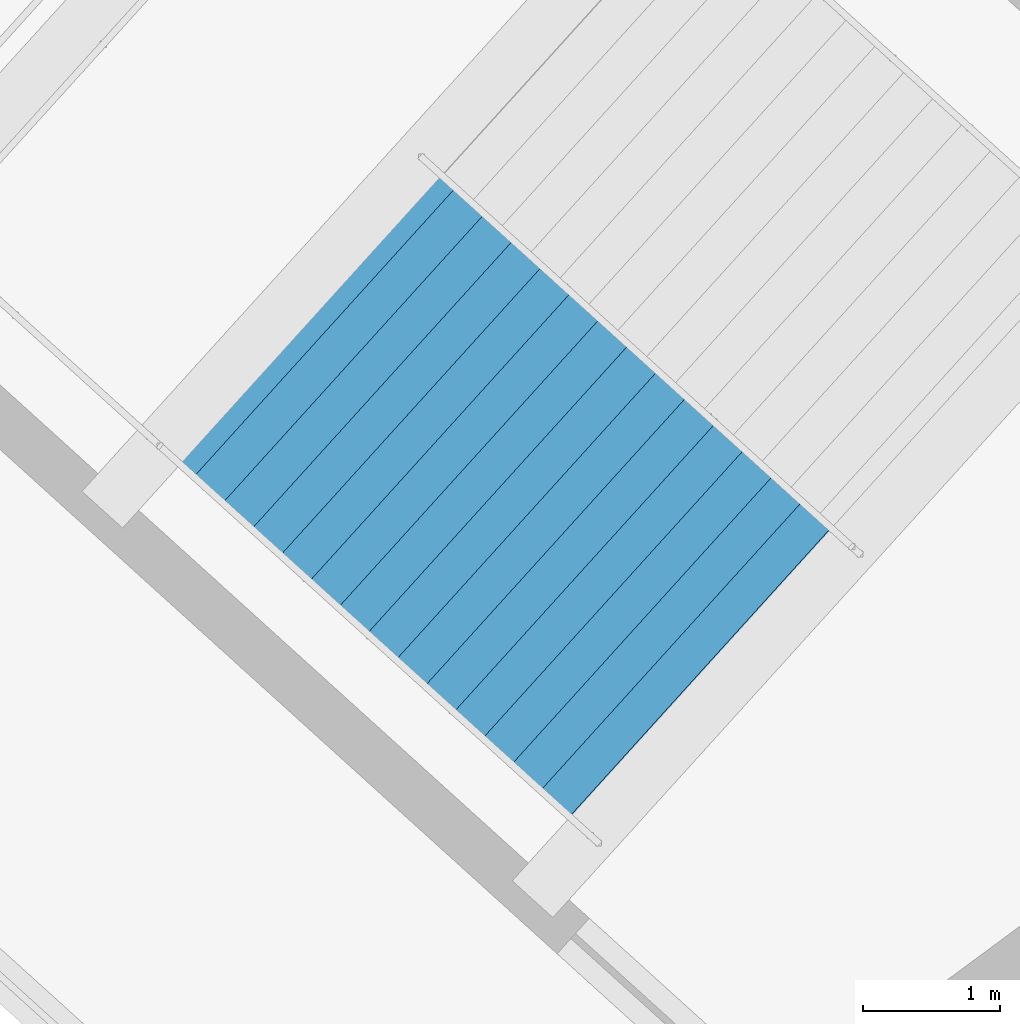
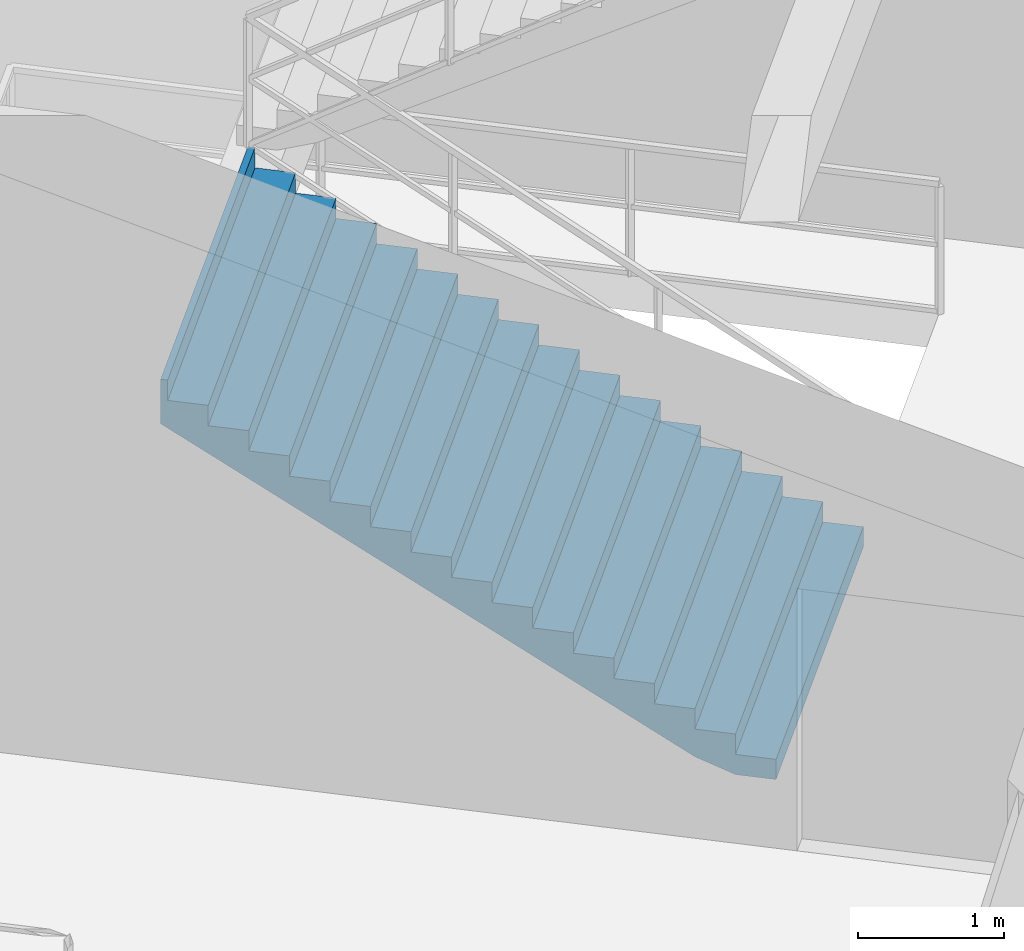
# One storey, part 165 of 186: 1 stair flight, 1 element without a shape of its own.
"""IFC4 building model written with IfcOpenShell, lengths in metres."""

from ifc_helpers import new_model, si_unit, direction, frame, origin, place, context, subcontext, project, spatial, polygons, material, type_object, element, aggregate, save


model = new_model("IFC4")

# Units and contexts
model_context = context("Model", 3, precision=1e-05, world=origin(), true_north=direction((0.0, 1.0)))
body_context = subcontext(model_context, "Body", "Model", "MODEL_VIEW")
ifc_project = project(units=[si_unit("LENGTHUNIT", "METRE"), si_unit("AREAUNIT", "SQUARE_METRE"), si_unit("VOLUMEUNIT", "CUBIC_METRE"), si_unit("PLANEANGLEUNIT", "RADIAN"), si_unit("MASSUNIT", "GRAM", prefix="KILO")], contexts=[model_context])

# Site, building, storey
site_placement = place(None, origin())
site = spatial("IfcSite", under=ifc_project, at=site_placement, CompositionType="ELEMENT")
building_placement = place(site_placement, origin())
building = spatial("IfcBuilding", under=site, at=building_placement, Name="Kazemori Nagisa Stadium", CompositionType="ELEMENT")
storey_placement = place(building_placement, frame((0.0, 0.0, 20.39990234375)))
storey = spatial("IfcBuildingStorey", under=building, at=storey_placement, Name="L04", CompositionType="ELEMENT", Elevation=20.39990234375)

# Stair, stair flight
ifc_material = material(Name="Concrete C36/45 (Fc36)", Category="concrete")
stair_type = type_object("IfcStairType", Name="Stair_CORE_32", PredefinedType="TWO_STRAIGHT_RUN_STAIR", material=ifc_material)
stair_placement = place(storey_placement, origin())
stair = element("IfcStair", 1, at=stair_placement, inside=storey, type_object=stair_type, Name="Exit stair ST01 L04", PredefinedType="TWO_STRAIGHT_RUN_STAIR")
stair_flight_type = type_object("IfcStairFlightType", Name="Flight_CORE_16", PredefinedType="STRAIGHT", material=ifc_material)
stair_flight_placement = place(storey_placement, frame((191.89208984375, 156.3369140625, 0.0), z_axis=(0.0, 0.0, 1.0), x_axis=(-0.741354464355, 0.671113670089, 0.0)))
stair_flight = element("IfcStairFlight", 2, at=stair_flight_placement, type_object=stair_flight_type, Name="Exit stair ST01 L04 flight 1", NumberOfRisers=16, NumberOfTreads=15, PredefinedType="STRAIGHT", RiserHeight=0.17, TreadLength=0.285, context=body_context, shape_type="Tessellation", body=[
    polygons([(0.0, -1.425048828125, 0.0), (0.0, -1.425048828125, 0.169921875), (0.284912109375, -1.425048828125, 0.169921875), (0.284912109375, -1.425048828125, 0.340087890625), (0.570068359375, -1.425048828125, 0.340087890625), (0.570068359375, -1.425048828125, 0.510009765625), (0.85498046875, -1.425048828125, 0.510009765625), (0.85498046875, -1.425048828125, 0.679931640625), (1.139892578125, -1.425048828125, 0.679931640625), (1.139892578125, -1.425048828125, 0.85009765625), (1.425048828125, -1.425048828125, 0.85009765625), (1.425048828125, -1.425048828125, 1.02001953125), (1.7099609375, -1.425048828125, 1.02001953125), (1.7099609375, -1.425048828125, 1.18994140625), (1.9951171875, -1.425048828125, 1.18994140625), (1.9951171875, -1.425048828125, 1.360107421875), (2.280029296875, -1.425048828125, 1.360107421875), (2.280029296875, -1.425048828125, 1.530029296875), (2.56494140625, -1.425048828125, 1.530029296875), (2.56494140625, -1.425048828125, 1.699951171875), (2.85009765625, -1.425048828125, 1.699951171875), (2.85009765625, -1.425048828125, 1.8701171875), (3.135009765625, -1.425048828125, 1.8701171875), (3.135009765625, -1.425048828125, 2.0400390625), (3.419921875, -1.425048828125, 2.0400390625), (3.419921875, -1.425048828125, 2.2099609375), (3.705078125, -1.425048828125, 2.2099609375), (3.705078125, -1.425048828125, 2.3798828125), (3.989990234375, -1.425048828125, 2.3798828125), (3.989990234375, -1.425048828125, 2.550048828125), (4.27490234375, -1.425048828125, 2.550048828125), (4.27490234375, -1.425048828125, 2.719970703125), (4.324951171875, -1.425048828125, 2.719970703125), (4.324951171875, -1.425048828125, 2.346923828125), (4.27490234375, -1.425048828125, 2.317138671875), (3.989990234375, -1.425048828125, 2.147216796875), (3.705078125, -1.425048828125, 1.977294921875), (3.419921875, -1.425048828125, 1.80712890625), (3.135009765625, -1.425048828125, 1.63720703125), (2.85009765625, -1.425048828125, 1.46728515625), (2.56494140625, -1.425048828125, 1.297119140625), (2.280029296875, -1.425048828125, 1.127197265625), (1.9951171875, -1.425048828125, 0.957275390625), (1.7099609375, -1.425048828125, 0.787109375), (1.425048828125, -1.425048828125, 0.6171875), (1.139892578125, -1.425048828125, 0.447265625), (0.85498046875, -1.425048828125, 0.277099609375), (0.570068359375, -1.425048828125, 0.107177734375), (0.284912109375, -1.425048828125, 0.0), (0.0, -0.08544921875, 0.0), (0.0, -0.08544921875, 0.169921875), (0.284912109375, -0.08544921875, 0.169921875), (0.284912109375, -0.08544921875, 0.340087890625), (0.570068359375, -0.08544921875, 0.340087890625), (0.570068359375, -0.08544921875, 0.510009765625), (0.85498046875, -0.08544921875, 0.510009765625), (0.85498046875, -0.08544921875, 0.679931640625), (1.139892578125, -0.08544921875, 0.679931640625), (1.139892578125, -0.08544921875, 0.85009765625), (1.425048828125, -0.08544921875, 0.85009765625), (1.425048828125, -0.08544921875, 1.02001953125), (1.7099609375, -0.08544921875, 1.02001953125), (1.7099609375, -0.08544921875, 1.18994140625), (1.9951171875, -0.08544921875, 1.18994140625), (1.9951171875, -0.08544921875, 1.360107421875), (2.280029296875, -0.08544921875, 1.360107421875), (2.280029296875, -0.08544921875, 1.530029296875), (2.56494140625, -0.08544921875, 1.530029296875), (2.56494140625, -0.08544921875, 1.699951171875), (2.85009765625, -0.08544921875, 1.699951171875), (2.85009765625, -0.08544921875, 1.8701171875), (3.135009765625, -0.08544921875, 1.8701171875), (3.135009765625, -0.08544921875, 2.0400390625), (3.419921875, -0.08544921875, 2.0400390625), (3.419921875, -0.08544921875, 2.2099609375), (3.705078125, -0.08544921875, 2.2099609375), (3.705078125, -0.08544921875, 2.3798828125), (3.989990234375, -0.08544921875, 2.3798828125), (3.989990234375, -0.08544921875, 2.550048828125), (4.27490234375, -0.08544921875, 2.550048828125), (4.27490234375, -0.08544921875, 2.719970703125), (4.324951171875, -0.08544921875, 2.719970703125), (4.324951171875, -0.08544921875, 2.346923828125), (4.27490234375, -0.08544921875, 2.317138671875), (3.989990234375, -0.08544921875, 2.147216796875), (3.705078125, -0.08544921875, 1.977294921875), (3.419921875, -0.08544921875, 1.80712890625), (3.135009765625, -0.08544921875, 1.63720703125), (2.85009765625, -0.08544921875, 1.46728515625), (2.56494140625, -0.08544921875, 1.297119140625), (2.280029296875, -0.08544921875, 1.127197265625), (1.9951171875, -0.08544921875, 0.957275390625), (1.7099609375, -0.08544921875, 0.787109375), (1.425048828125, -0.08544921875, 0.6171875), (1.139892578125, -0.08544921875, 0.447265625), (0.85498046875, -0.08544921875, 0.277099609375), (0.570068359375, -0.08544921875, 0.107177734375), (0.284912109375, -0.08544921875, 0.0), (0.0, 0.0, 0.0), (0.0, 0.0, 0.169921875), (0.284912109375, 0.0, 0.169921875), (0.284912109375, 0.0, 0.340087890625), (0.570068359375, 0.0, 0.340087890625), (0.570068359375, 0.0, 0.510009765625), (0.85498046875, 0.0, 0.510009765625), (0.85498046875, 0.0, 0.679931640625), (1.139892578125, 0.0, 0.679931640625), (1.139892578125, 0.0, 0.85009765625), (1.425048828125, 0.0, 0.85009765625), (1.425048828125, 0.0, 1.02001953125), (1.7099609375, 0.0, 1.02001953125), (1.7099609375, 0.0, 1.18994140625), (1.9951171875, 0.0, 1.18994140625), (1.9951171875, 0.0, 1.360107421875), (2.280029296875, 0.0, 1.360107421875), (2.280029296875, 0.0, 1.530029296875), (2.56494140625, 0.0, 1.530029296875), (2.56494140625, 0.0, 1.699951171875), (2.85009765625, 0.0, 1.699951171875), (2.85009765625, 0.0, 1.8701171875), (3.135009765625, 0.0, 1.8701171875), (3.135009765625, 0.0, 2.0400390625), (3.419921875, 0.0, 2.0400390625), (3.419921875, 0.0, 2.2099609375), (3.705078125, 0.0, 2.2099609375), (3.705078125, 0.0, 2.3798828125), (3.989990234375, 0.0, 2.3798828125), (3.989990234375, 0.0, 2.550048828125), (4.27490234375, 0.0, 2.550048828125), (4.27490234375, 0.0, 2.719970703125), (4.324951171875, 0.0, 2.719970703125), (4.324951171875, 0.0, 2.346923828125), (4.27490234375, 0.0, 2.317138671875), (3.989990234375, 0.0, 2.147216796875), (3.705078125, 0.0, 1.977294921875), (3.419921875, 0.0, 1.80712890625), (3.135009765625, 0.0, 1.63720703125), (2.85009765625, 0.0, 1.46728515625), (2.56494140625, 0.0, 1.297119140625), (2.280029296875, 0.0, 1.127197265625), (1.9951171875, 0.0, 0.957275390625), (1.7099609375, 0.0, 0.787109375), (1.425048828125, 0.0, 0.6171875), (1.139892578125, 0.0, 0.447265625), (0.85498046875, 0.0, 0.277099609375), (0.570068359375, 0.0, 0.107177734375), (0.284912109375, 0.0, 0.0), (0.0, 0.08544921875, 0.0), (0.0, 0.08544921875, 0.169921875), (0.284912109375, 0.08544921875, 0.169921875), (0.284912109375, 0.08544921875, 0.340087890625), (0.570068359375, 0.08544921875, 0.340087890625), (0.570068359375, 0.08544921875, 0.510009765625), (0.85498046875, 0.08544921875, 0.510009765625), (0.85498046875, 0.08544921875, 0.679931640625), (1.139892578125, 0.08544921875, 0.679931640625), (1.139892578125, 0.08544921875, 0.85009765625), (1.425048828125, 0.08544921875, 0.85009765625), (1.425048828125, 0.08544921875, 1.02001953125), (1.7099609375, 0.08544921875, 1.02001953125), (1.7099609375, 0.08544921875, 1.18994140625), (1.9951171875, 0.08544921875, 1.18994140625), (1.9951171875, 0.08544921875, 1.360107421875), (2.280029296875, 0.08544921875, 1.360107421875), (2.280029296875, 0.08544921875, 1.530029296875), (2.56494140625, 0.08544921875, 1.530029296875), (2.56494140625, 0.08544921875, 1.699951171875), (2.85009765625, 0.08544921875, 1.699951171875), (2.85009765625, 0.08544921875, 1.8701171875), (3.135009765625, 0.08544921875, 1.8701171875), (3.135009765625, 0.08544921875, 2.0400390625), (3.419921875, 0.08544921875, 2.0400390625), (3.419921875, 0.08544921875, 2.2099609375), (3.705078125, 0.08544921875, 2.2099609375), (3.705078125, 0.08544921875, 2.3798828125), (3.989990234375, 0.08544921875, 2.3798828125), (3.989990234375, 0.08544921875, 2.550048828125), (4.27490234375, 0.08544921875, 2.550048828125), (4.27490234375, 0.08544921875, 2.719970703125), (4.324951171875, 0.08544921875, 2.719970703125), (4.324951171875, 0.08544921875, 2.346923828125), (4.27490234375, 0.08544921875, 2.317138671875), (3.989990234375, 0.08544921875, 2.147216796875), (3.705078125, 0.08544921875, 1.977294921875), (3.419921875, 0.08544921875, 1.80712890625), (3.135009765625, 0.08544921875, 1.63720703125), (2.85009765625, 0.08544921875, 1.46728515625), (2.56494140625, 0.08544921875, 1.297119140625), (2.280029296875, 0.08544921875, 1.127197265625), (1.9951171875, 0.08544921875, 0.957275390625), (1.7099609375, 0.08544921875, 0.787109375), (1.425048828125, 0.08544921875, 0.6171875), (1.139892578125, 0.08544921875, 0.447265625), (0.85498046875, 0.08544921875, 0.277099609375), (0.570068359375, 0.08544921875, 0.107177734375), (0.284912109375, 0.08544921875, 0.0), (0.0, 1.425048828125, 0.0), (0.0, 1.425048828125, 0.169921875), (0.284912109375, 1.425048828125, 0.169921875), (0.284912109375, 1.425048828125, 0.340087890625), (0.570068359375, 1.425048828125, 0.340087890625), (0.570068359375, 1.425048828125, 0.510009765625), (0.85498046875, 1.425048828125, 0.510009765625), (0.85498046875, 1.425048828125, 0.679931640625), (1.139892578125, 1.425048828125, 0.679931640625), (1.139892578125, 1.425048828125, 0.85009765625), (1.425048828125, 1.425048828125, 0.85009765625), (1.425048828125, 1.425048828125, 1.02001953125), (1.7099609375, 1.425048828125, 1.02001953125), (1.7099609375, 1.425048828125, 1.18994140625), (1.9951171875, 1.425048828125, 1.18994140625), (1.9951171875, 1.425048828125, 1.360107421875), (2.280029296875, 1.425048828125, 1.360107421875), (2.280029296875, 1.425048828125, 1.530029296875), (2.56494140625, 1.425048828125, 1.530029296875), (2.56494140625, 1.425048828125, 1.699951171875), (2.85009765625, 1.425048828125, 1.699951171875), (2.85009765625, 1.425048828125, 1.8701171875), (3.135009765625, 1.425048828125, 1.8701171875), (3.135009765625, 1.425048828125, 2.0400390625), (3.419921875, 1.425048828125, 2.0400390625), (3.419921875, 1.425048828125, 2.2099609375), (3.705078125, 1.425048828125, 2.2099609375), (3.705078125, 1.425048828125, 2.3798828125), (3.989990234375, 1.425048828125, 2.3798828125), (3.989990234375, 1.425048828125, 2.550048828125), (4.27490234375, 1.425048828125, 2.550048828125), (4.27490234375, 1.425048828125, 2.719970703125), (4.324951171875, 1.425048828125, 2.719970703125), (4.324951171875, 1.425048828125, 2.346923828125), (4.27490234375, 1.425048828125, 2.317138671875), (3.989990234375, 1.425048828125, 2.147216796875), (3.705078125, 1.425048828125, 1.977294921875), (3.419921875, 1.425048828125, 1.80712890625), (3.135009765625, 1.425048828125, 1.63720703125), (2.85009765625, 1.425048828125, 1.46728515625), (2.56494140625, 1.425048828125, 1.297119140625), (2.280029296875, 1.425048828125, 1.127197265625), (1.9951171875, 1.425048828125, 0.957275390625), (1.7099609375, 1.425048828125, 0.787109375), (1.425048828125, 1.425048828125, 0.6171875), (1.139892578125, 1.425048828125, 0.447265625), (0.85498046875, 1.425048828125, 0.277099609375), (0.570068359375, 1.425048828125, 0.107177734375), (0.284912109375, 1.425048828125, 0.0)], [[[1, 2, 51]], [[1, 51, 50]], [[2, 3, 52]], [[2, 52, 51]], [[3, 4, 53]], [[3, 53, 52]], [[4, 5, 54]], [[4, 54, 53]], [[5, 6, 55]], [[5, 55, 54]], [[6, 7, 56]], [[6, 56, 55]], [[7, 8, 57]], [[7, 57, 56]], [[8, 9, 58]], [[8, 58, 57]], [[9, 10, 59]], [[9, 59, 58]], [[10, 11, 60]], [[10, 60, 59]], [[11, 12, 61]], [[11, 61, 60]], [[12, 13, 62]], [[12, 62, 61]], [[13, 14, 63]], [[13, 63, 62]], [[14, 15, 64]], [[14, 64, 63]], [[15, 16, 65]], [[15, 65, 64]], [[16, 17, 66]], [[16, 66, 65]], [[17, 18, 67]], [[17, 67, 66]], [[18, 19, 68]], [[18, 68, 67]], [[19, 20, 69]], [[19, 69, 68]], [[20, 21, 70]], [[20, 70, 69]], [[21, 22, 71]], [[21, 71, 70]], [[22, 23, 72]], [[22, 72, 71]], [[23, 24, 73]], [[23, 73, 72]], [[24, 25, 74]], [[24, 74, 73]], [[25, 26, 75]], [[25, 75, 74]], [[26, 27, 76]], [[26, 76, 75]], [[27, 28, 77]], [[27, 77, 76]], [[28, 29, 78]], [[28, 78, 77]], [[29, 30, 79]], [[29, 79, 78]], [[30, 31, 80]], [[30, 80, 79]], [[31, 32, 81]], [[31, 81, 80]], [[32, 33, 82]], [[32, 82, 81]], [[33, 34, 83]], [[33, 83, 82]], [[34, 35, 84]], [[34, 84, 83]], [[35, 36, 85]], [[35, 85, 84]], [[36, 37, 86]], [[36, 86, 85]], [[37, 38, 87]], [[37, 87, 86]], [[38, 39, 88]], [[38, 88, 87]], [[39, 40, 89]], [[39, 89, 88]], [[40, 41, 90]], [[40, 90, 89]], [[41, 42, 91]], [[41, 91, 90]], [[42, 43, 92]], [[42, 92, 91]], [[43, 44, 93]], [[43, 93, 92]], [[44, 45, 94]], [[44, 94, 93]], [[45, 46, 95]], [[45, 95, 94]], [[46, 47, 96]], [[46, 96, 95]], [[47, 48, 97]], [[47, 97, 96]], [[48, 49, 98]], [[48, 98, 97]], [[49, 1, 50]], [[49, 50, 98]], [[50, 51, 100]], [[50, 100, 99]], [[51, 52, 101]], [[51, 101, 100]], [[52, 53, 102]], [[52, 102, 101]], [[53, 54, 103]], [[53, 103, 102]], [[54, 55, 104]], [[54, 104, 103]], [[55, 56, 105]], [[55, 105, 104]], [[56, 57, 106]], [[56, 106, 105]], [[57, 58, 107]], [[57, 107, 106]], [[58, 59, 108]], [[58, 108, 107]], [[59, 60, 109]], [[59, 109, 108]], [[60, 61, 110]], [[60, 110, 109]], [[61, 62, 111]], [[61, 111, 110]], [[62, 63, 112]], [[62, 112, 111]], [[63, 64, 113]], [[63, 113, 112]], [[64, 65, 114]], [[64, 114, 113]], [[65, 66, 115]], [[65, 115, 114]], [[66, 67, 116]], [[66, 116, 115]], [[67, 68, 117]], [[67, 117, 116]], [[68, 69, 118]], [[68, 118, 117]], [[69, 70, 119]], [[69, 119, 118]], [[70, 71, 120]], [[70, 120, 119]], [[71, 72, 121]], [[71, 121, 120]], [[72, 73, 122]], [[72, 122, 121]], [[73, 74, 123]], [[73, 123, 122]], [[74, 75, 124]], [[74, 124, 123]], [[75, 76, 125]], [[75, 125, 124]], [[76, 77, 126]], [[76, 126, 125]], [[77, 78, 127]], [[77, 127, 126]], [[78, 79, 128]], [[78, 128, 127]], [[79, 80, 129]], [[79, 129, 128]], [[80, 81, 130]], [[80, 130, 129]], [[81, 82, 131]], [[81, 131, 130]], [[82, 83, 132]], [[82, 132, 131]], [[83, 84, 133]], [[83, 133, 132]], [[84, 85, 134]], [[84, 134, 133]], [[85, 86, 135]], [[85, 135, 134]], [[86, 87, 136]], [[86, 136, 135]], [[87, 88, 137]], [[87, 137, 136]], [[88, 89, 138]], [[88, 138, 137]], [[89, 90, 139]], [[89, 139, 138]], [[90, 91, 140]], [[90, 140, 139]], [[91, 92, 141]], [[91, 141, 140]], [[92, 93, 142]], [[92, 142, 141]], [[93, 94, 143]], [[93, 143, 142]], [[94, 95, 144]], [[94, 144, 143]], [[95, 96, 145]], [[95, 145, 144]], [[96, 97, 146]], [[96, 146, 145]], [[97, 98, 147]], [[97, 147, 146]], [[98, 50, 99]], [[98, 99, 147]], [[99, 100, 149]], [[99, 149, 148]], [[100, 101, 150]], [[100, 150, 149]], [[101, 102, 151]], [[101, 151, 150]], [[102, 103, 152]], [[102, 152, 151]], [[103, 104, 153]], [[103, 153, 152]], [[104, 105, 154]], [[104, 154, 153]], [[105, 106, 155]], [[105, 155, 154]], [[106, 107, 156]], [[106, 156, 155]], [[107, 108, 157]], [[107, 157, 156]], [[108, 109, 158]], [[108, 158, 157]], [[109, 110, 159]], [[109, 159, 158]], [[110, 111, 160]], [[110, 160, 159]], [[111, 112, 161]], [[111, 161, 160]], [[112, 113, 162]], [[112, 162, 161]], [[113, 114, 163]], [[113, 163, 162]], [[114, 115, 164]], [[114, 164, 163]], [[115, 116, 165]], [[115, 165, 164]], [[116, 117, 166]], [[116, 166, 165]], [[117, 118, 167]], [[117, 167, 166]], [[118, 119, 168]], [[118, 168, 167]], [[119, 120, 169]], [[119, 169, 168]], [[120, 121, 170]], [[120, 170, 169]], [[121, 122, 171]], [[121, 171, 170]], [[122, 123, 172]], [[122, 172, 171]], [[123, 124, 173]], [[123, 173, 172]], [[124, 125, 174]], [[124, 174, 173]], [[125, 126, 175]], [[125, 175, 174]], [[126, 127, 176]], [[126, 176, 175]], [[127, 128, 177]], [[127, 177, 176]], [[128, 129, 178]], [[128, 178, 177]], [[129, 130, 179]], [[129, 179, 178]], [[130, 131, 180]], [[130, 180, 179]], [[131, 132, 181]], [[131, 181, 180]], [[132, 133, 182]], [[132, 182, 181]], [[133, 134, 183]], [[133, 183, 182]], [[134, 135, 184]], [[134, 184, 183]], [[135, 136, 185]], [[135, 185, 184]], [[136, 137, 186]], [[136, 186, 185]], [[137, 138, 187]], [[137, 187, 186]], [[138, 139, 188]], [[138, 188, 187]], [[139, 140, 189]], [[139, 189, 188]], [[140, 141, 190]], [[140, 190, 189]], [[141, 142, 191]], [[141, 191, 190]], [[142, 143, 192]], [[142, 192, 191]], [[143, 144, 193]], [[143, 193, 192]], [[144, 145, 194]], [[144, 194, 193]], [[145, 146, 195]], [[145, 195, 194]], [[146, 147, 196]], [[146, 196, 195]], [[147, 99, 148]], [[147, 148, 196]], [[148, 149, 198]], [[148, 198, 197]], [[149, 150, 199]], [[149, 199, 198]], [[150, 151, 200]], [[150, 200, 199]], [[151, 152, 201]], [[151, 201, 200]], [[152, 153, 202]], [[152, 202, 201]], [[153, 154, 203]], [[153, 203, 202]], [[154, 155, 204]], [[154, 204, 203]], [[155, 156, 205]], [[155, 205, 204]], [[156, 157, 206]], [[156, 206, 205]], [[157, 158, 207]], [[157, 207, 206]], [[158, 159, 208]], [[158, 208, 207]], [[159, 160, 209]], [[159, 209, 208]], [[160, 161, 210]], [[160, 210, 209]], [[161, 162, 211]], [[161, 211, 210]], [[162, 163, 212]], [[162, 212, 211]], [[163, 164, 213]], [[163, 213, 212]], [[164, 165, 214]], [[164, 214, 213]], [[165, 166, 215]], [[165, 215, 214]], [[166, 167, 216]], [[166, 216, 215]], [[167, 168, 217]], [[167, 217, 216]], [[168, 169, 218]], [[168, 218, 217]], [[169, 170, 219]], [[169, 219, 218]], [[170, 171, 220]], [[170, 220, 219]], [[171, 172, 221]], [[171, 221, 220]], [[172, 173, 222]], [[172, 222, 221]], [[173, 174, 223]], [[173, 223, 222]], [[174, 175, 224]], [[174, 224, 223]], [[175, 176, 225]], [[175, 225, 224]], [[176, 177, 226]], [[176, 226, 225]], [[177, 178, 227]], [[177, 227, 226]], [[178, 179, 228]], [[178, 228, 227]], [[179, 180, 229]], [[179, 229, 228]], [[180, 181, 230]], [[180, 230, 229]], [[181, 182, 231]], [[181, 231, 230]], [[182, 183, 232]], [[182, 232, 231]], [[183, 184, 233]], [[183, 233, 232]], [[184, 185, 234]], [[184, 234, 233]], [[185, 186, 235]], [[185, 235, 234]], [[186, 187, 236]], [[186, 236, 235]], [[187, 188, 237]], [[187, 237, 236]], [[188, 189, 238]], [[188, 238, 237]], [[189, 190, 239]], [[189, 239, 238]], [[190, 191, 240]], [[190, 240, 239]], [[191, 192, 241]], [[191, 241, 240]], [[192, 193, 242]], [[192, 242, 241]], [[193, 194, 243]], [[193, 243, 242]], [[194, 195, 244]], [[194, 244, 243]], [[195, 196, 245]], [[195, 245, 244]], [[196, 148, 197]], [[196, 197, 245]], [[3, 2, 1]], [[197, 198, 199]], [[49, 3, 1]], [[197, 199, 245]], [[48, 3, 49]], [[245, 199, 244]], [[5, 3, 48]], [[244, 199, 201]], [[5, 4, 3]], [[199, 200, 201]], [[47, 5, 48]], [[244, 201, 243]], [[7, 5, 47]], [[243, 201, 203]], [[7, 6, 5]], [[201, 202, 203]], [[46, 7, 47]], [[243, 203, 242]], [[9, 7, 46]], [[242, 203, 205]], [[9, 8, 7]], [[203, 204, 205]], [[45, 9, 46]], [[242, 205, 241]], [[11, 9, 45]], [[241, 205, 207]], [[11, 10, 9]], [[205, 206, 207]], [[44, 11, 45]], [[241, 207, 240]], [[13, 11, 44]], [[240, 207, 209]], [[13, 12, 11]], [[207, 208, 209]], [[43, 13, 44]], [[240, 209, 239]], [[15, 13, 43]], [[239, 209, 211]], [[15, 14, 13]], [[209, 210, 211]], [[42, 15, 43]], [[239, 211, 238]], [[17, 15, 42]], [[238, 211, 213]], [[17, 16, 15]], [[211, 212, 213]], [[41, 17, 42]], [[238, 213, 237]], [[19, 17, 41]], [[237, 213, 215]], [[19, 18, 17]], [[213, 214, 215]], [[40, 19, 41]], [[237, 215, 236]], [[21, 19, 40]], [[236, 215, 217]], [[21, 20, 19]], [[215, 216, 217]], [[39, 21, 40]], [[236, 217, 235]], [[23, 21, 39]], [[235, 217, 219]], [[23, 22, 21]], [[217, 218, 219]], [[38, 23, 39]], [[235, 219, 234]], [[25, 23, 38]], [[234, 219, 221]], [[25, 24, 23]], [[219, 220, 221]], [[37, 25, 38]], [[234, 221, 233]], [[27, 25, 37]], [[233, 221, 223]], [[27, 26, 25]], [[221, 222, 223]], [[36, 27, 37]], [[233, 223, 232]], [[29, 27, 36]], [[232, 223, 225]], [[29, 28, 27]], [[223, 224, 225]], [[35, 29, 36]], [[232, 225, 231]], [[31, 29, 35]], [[231, 225, 227]], [[31, 30, 29]], [[225, 226, 227]], [[34, 31, 35]], [[231, 227, 230]], [[33, 31, 34]], [[230, 227, 229]], [[33, 32, 31]], [[227, 228, 229]]], closed=True),
])
aggregate(stair, [stair_flight])

save(model, "model.ifc")
